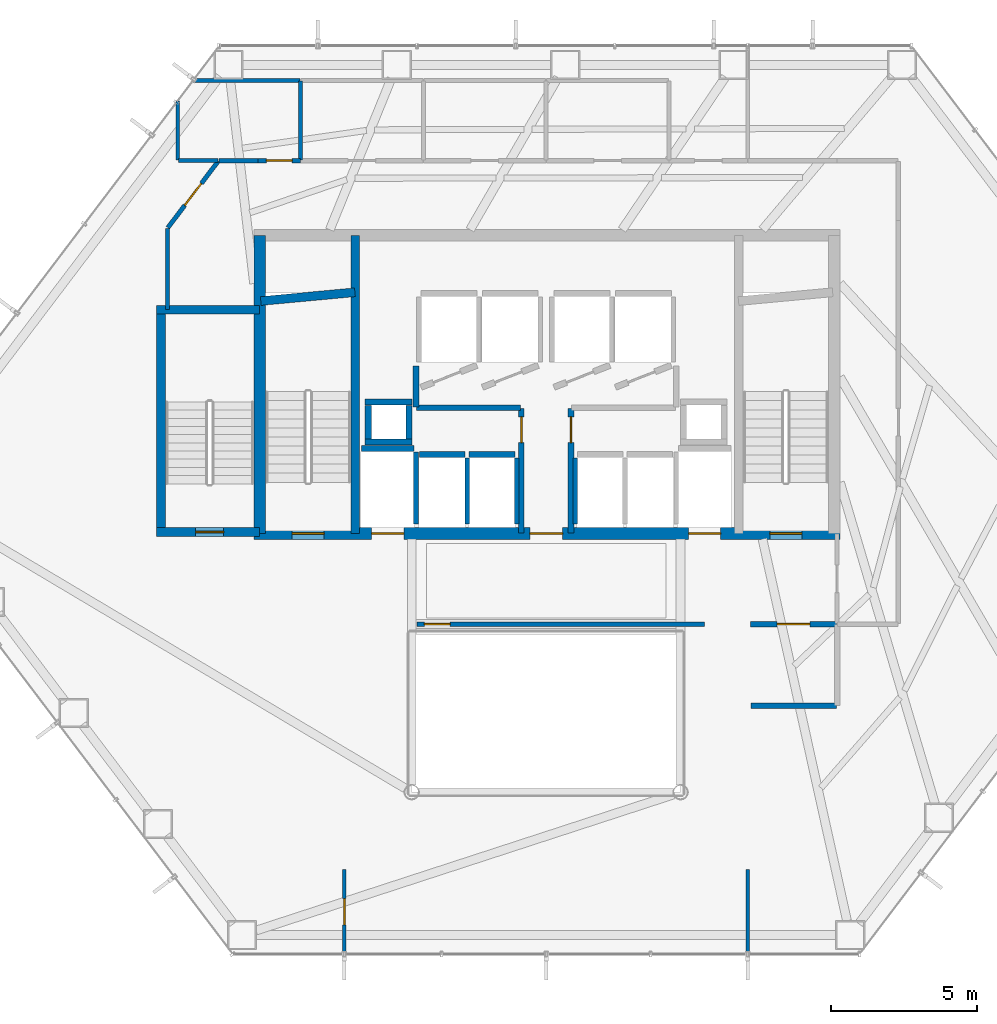
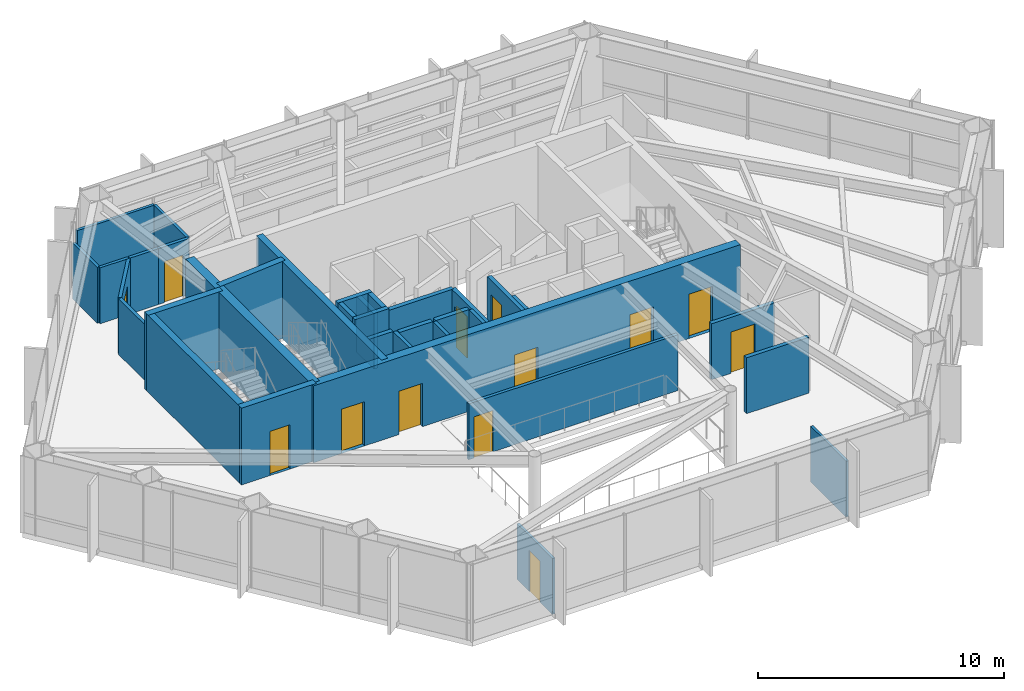
# One storey, part 22 of 25: 35 walls, 13 doors, 13 openings.
"""IFC4 building model written with IfcOpenShell, lengths in metres."""

from ifc_helpers import new_model, si_unit, direction, frame, frame_2d, origin, place, context, subcontext, project, spatial, rectangle, extrude, material, layer, layer_set, type_object, element, fill, save


model = new_model("IFC4")

# Units and contexts
model_context = context("Model", 3, precision=1e-05, world=origin(), true_north=direction((0.0, 1.0)))
body_context = subcontext(model_context, "Body", "Model", "MODEL_VIEW")
ifc_project = project(units=[si_unit("LENGTHUNIT", "METRE"), si_unit("AREAUNIT", "SQUARE_METRE"), si_unit("VOLUMEUNIT", "CUBIC_METRE"), si_unit("PLANEANGLEUNIT", "RADIAN"), si_unit("MASSUNIT", "GRAM", prefix="KILO")], contexts=[model_context])

# Site, building, storey
site_placement = place(None, origin())
site = spatial("IfcSite", under=ifc_project, at=site_placement, CompositionType="ELEMENT")
building_placement = place(site_placement, origin())
building = spatial("IfcBuilding", under=site, at=building_placement, Name="Zarrinselat Tower", CompositionType="ELEMENT")
storey_placement = place(building_placement, frame((0.0, 0.0, 52.02001953125)))
storey = spatial("IfcBuildingStorey", under=building, at=storey_placement, Name="L12", CompositionType="ELEMENT", Elevation=52.02001953125)

# Wall, opening, door
ifc_material_1 = material(Name="Concrete C40/50", Category="concrete")
ifc_layer_1 = layer(ifc_material_1, 0.18994140625)
ifc_layer_set_1 = layer_set([ifc_layer_1], Name="Concrete C40/50")
wall_type_1 = type_object("IfcWallType", Name="WAL-PART-EI120", PredefinedType="PARTITIONING", material=ifc_layer_set_1)
wall_1_placement = place(storey_placement, frame((45.385009765625, 30.14990234375, 0.0), z_axis=(0.0, 0.0, 1.0), x_axis=(1.0, 0.0, 0.0)))
wall_1 = element("IfcWall", 1, at=wall_1_placement, inside=storey, type_object=wall_type_1, Name="L12 Partition Wall 7", PredefinedType="PARTITIONING", context=body_context, shape_type="SweptSolid", body=[
    extrude(rectangle(XDim=2.945068359375, YDim=0.18994140625, at=frame_2d((1.47265625, 0.0))), origin(), (0.0, 0.0, 1.0), 2.777099609375),
])
opening_1_placement = place(wall_1_placement, frame((0.91259765625, 0.0, 0.0)))
opening_1 = element("IfcOpeningElement", 2, at=opening_1_placement, cuts=wall_1, Name="Opening ID-02", PredefinedType="OPENING", context=body_context, shape_type="SweptSolid", body=[
    extrude(rectangle(XDim=1.1201171875, YDim=2.050048828125, at=frame_2d((0.56005859375, 1.02490234375))), frame((0.0, 0.10498046875, 0.0), z_axis=(0.0, -1.0, 0.0), x_axis=(1.0, 0.0, 0.0)), (0.0, 0.0, 1.0), 0.2099609375),
])
ifc_material_2 = material(Name="Steel S355J2", Category="steel")
door_type_1 = type_object("IfcDoorType", Name="DR-INT-FD60-W", OperationType="NOTDEFINED", PredefinedType="DOOR", material=ifc_material_2)
door_1_placement = place(opening_1_placement, origin())
door_1 = element("IfcDoor", 3, at=door_1_placement, inside=storey, type_object=door_type_1, Name="L12 Interior Door P7", OperationType="SINGLE_SWING_LEFT", OverallHeight=2.050048828125, OverallWidth=1.1201171875, PredefinedType="DOOR", context=body_context, shape_type="SweptSolid", body=[
    extrude(rectangle(XDim=1.1201171875, YDim=2.050048828125, at=frame_2d((0.56005859375, 1.02490234375))), frame((0.0, 0.02490234375, 0.0), z_axis=(0.0, -1.0, 0.0), x_axis=(1.0, 0.0, 0.0)), (0.0, 0.0, 1.0), 0.050048828125),
])
fill(opening_1, door_1)

# Wall
wall_2_placement = place(storey_placement, frame((45.39990234375, 27.35009765625, 0.0), z_axis=(0.0, 0.0, 1.0), x_axis=(1.0, 0.0, 0.0)))
element("IfcWall", 4, at=wall_2_placement, inside=storey, type_object=wall_type_1, Name="L12 Partition Wall 10", PredefinedType="PARTITIONING", context=body_context, shape_type="SweptSolid", body=[
    extrude(rectangle(XDim=2.93017578125, YDim=0.18994140625, at=frame_2d((1.465087890625, 0.0))), origin(), (0.0, 0.0, 1.0), 2.777099609375),
])

# Wall, opening, door
ifc_material_3 = material(Name="Fire-Rated Gypsum Board Partition", Category="gypsum")
ifc_layer_2 = layer(ifc_material_3, 0.14990234375)
ifc_layer_set_2 = layer_set([ifc_layer_2], Name="Fire-Rated Gypsum Board Partition")
wall_type_2 = type_object("IfcWallType", Name="WAL-PART-EI60", PredefinedType="PARTITIONING", material=ifc_layer_set_2)
wall_3_placement = place(storey_placement, frame((33.985107421875, 30.14990234375, 0.0), z_axis=(0.0, 0.0, 1.0), x_axis=(1.0, 0.0, 0.0)))
wall_3 = element("IfcWall", 5, at=wall_3_placement, inside=storey, type_object=wall_type_2, Name="L12 Partition Wall 9", PredefinedType="PARTITIONING", context=body_context, shape_type="SweptSolid", body=[
    extrude(rectangle(XDim=9.829833984375, YDim=0.14990234375, at=frame_2d((4.9150390625, 0.0))), origin(), (0.0, 0.0, 1.0), 2.777099609375),
])
opening_2_placement = place(wall_3_placement, frame((0.25, 0.0, 0.0)))
opening_2 = element("IfcOpeningElement", 6, at=opening_2_placement, cuts=wall_3, Name="Opening ID-03", PredefinedType="OPENING", context=body_context, shape_type="SweptSolid", body=[
    extrude(rectangle(XDim=0.8798828125, YDim=2.050048828125, at=frame_2d((0.43994140625, 1.02490234375))), frame((0.0, 0.0849609375, 0.0), z_axis=(0.0, -1.0, 0.0), x_axis=(1.0, 0.0, 0.0)), (0.0, 0.0, 1.0), 0.169921875),
])
ifc_material_4 = material(Name="Steel S355J2", Category="steel")
door_type_2 = type_object("IfcDoorType", Name="DR-INT-FD60-S", OperationType="NOTDEFINED", PredefinedType="DOOR", material=ifc_material_4)
door_2_placement = place(opening_2_placement, origin())
door_2 = element("IfcDoor", 7, at=door_2_placement, inside=storey, type_object=door_type_2, Name="L12 Interior Door P9", OperationType="SINGLE_SWING_LEFT", OverallHeight=2.050048828125, OverallWidth=0.8798828125, PredefinedType="DOOR", context=body_context, shape_type="SweptSolid", body=[
    extrude(rectangle(XDim=0.8798828125, YDim=2.050048828125, at=frame_2d((0.43994140625, 1.02490234375))), frame((0.0, 0.02490234375, 0.0), z_axis=(0.0, -1.0, 0.0), x_axis=(1.0, 0.0, 0.0)), (0.0, 0.0, 1.0), 0.050048828125),
])
fill(opening_2, door_2)

# Wall
wall_4_placement = place(storey_placement, frame((27.216552734375, 46.0, 0.0), z_axis=(0.0, 0.0, 1.0), x_axis=(1.0, 0.0, 0.0)))
element("IfcWall", 8, at=wall_4_placement, inside=storey, type_object=wall_type_2, Name="L12 Partition Wall 12", PredefinedType="PARTITIONING", context=body_context, shape_type="SweptSolid", body=[
    extrude(rectangle(XDim=1.33349609375, YDim=0.14990234375, at=frame_2d((0.666748046875, 0.0))), origin(), (0.0, 0.0, 1.0), 2.777099609375),
])

# Wall, opening, door
wall_5_placement = place(storey_placement, frame((28.550048828125, 46.0, 0.0), z_axis=(0.0, 0.0, 1.0), x_axis=(1.0, 0.0, 0.0)))
wall_5 = element("IfcWall", 9, at=wall_5_placement, inside=storey, type_object=wall_type_2, Name="L12 Partition Wall 13", PredefinedType="PARTITIONING", context=body_context, shape_type="SweptSolid", body=[
    extrude(rectangle(XDim=1.445068359375, YDim=0.14990234375, at=frame_2d((0.72265625, 0.0))), origin(), (0.0, 0.0, 1.0), 2.777099609375),
])
opening_3_placement = place(wall_5_placement, frame((0.282470703125, 0.0, 0.0)))
opening_3 = element("IfcOpeningElement", 10, at=opening_3_placement, cuts=wall_5, Name="Opening ID-03", PredefinedType="OPENING", context=body_context, shape_type="SweptSolid", body=[
    extrude(rectangle(XDim=0.8798828125, YDim=2.050048828125, at=frame_2d((0.43994140625, 1.02490234375))), frame((0.0, 0.0849609375, 0.0), z_axis=(0.0, -1.0, 0.0), x_axis=(1.0, 0.0, 0.0)), (0.0, 0.0, 1.0), 0.169921875),
])
door_3_placement = place(opening_3_placement, origin())
door_3 = element("IfcDoor", 11, at=door_3_placement, inside=storey, type_object=door_type_2, Name="L12 Interior Door P13", OperationType="SINGLE_SWING_RIGHT", OverallHeight=2.050048828125, OverallWidth=0.8798828125, PredefinedType="DOOR", context=body_context, shape_type="SweptSolid", body=[
    extrude(rectangle(XDim=0.8798828125, YDim=2.050048828125, at=frame_2d((0.43994140625, 1.02490234375))), frame((0.0, 0.02490234375, 0.0), z_axis=(0.0, -1.0, 0.0), x_axis=(1.0, 0.0, 0.0)), (0.0, 0.0, 1.0), 0.050048828125),
])
fill(opening_3, door_3)

# Wall
wall_6_placement = place(storey_placement, frame((25.449951171875, 40.9150390625, 0.0), z_axis=(0.0, 0.0, 1.0), x_axis=(0.0, 1.0, 0.0)))
element("IfcWall", 12, at=wall_6_placement, inside=storey, type_object=wall_type_2, Name="L12 Partition Wall 17", PredefinedType="PARTITIONING", context=body_context, shape_type="SweptSolid", body=[
    extrude(rectangle(XDim=2.75927734375, YDim=0.14990234375, at=frame_2d((1.379638671875, 0.0))), origin(), (0.0, 0.0, 1.0), 2.777099609375),
])

# Wall, opening, door
wall_7_placement = place(storey_placement, frame((25.462158203125, 43.710205078125, 0.0), z_axis=(0.0, 0.0, 1.0), x_axis=(0.603800014115, 0.797135837204, 0.0)))
wall_7 = element("IfcWall", 13, at=wall_7_placement, inside=storey, type_object=wall_type_2, Name="L12 Partition Wall 18", PredefinedType="PARTITIONING", context=body_context, shape_type="SweptSolid", body=[
    extrude(rectangle(XDim=2.8525390625, YDim=0.14990234375, at=frame_2d((1.42626953125, 0.0))), origin(), (0.0, 0.0, 1.0), 2.777099609375),
])
opening_4_placement = place(wall_7_placement, frame((0.956298828125, 0.0, 0.0)))
opening_4 = element("IfcOpeningElement", 14, at=opening_4_placement, cuts=wall_7, Name="Opening ID-04", PredefinedType="OPENING", context=body_context, shape_type="SweptSolid", body=[
    extrude(rectangle(XDim=0.93994140625, YDim=2.050048828125, at=frame_2d((0.469970703125, 1.02490234375))), frame((0.0, 0.0849609375, 0.0), z_axis=(0.0, -1.0, 0.0), x_axis=(1.0, 0.0, 0.0)), (0.0, 0.0, 1.0), 0.169921875),
])
ifc_material_5 = material(Name="Fire-Rated Gypsum Board Partition")
door_type_3 = type_object("IfcDoorType", Name="DR-INT-FD30-ENT", OperationType="NOTDEFINED", PredefinedType="DOOR", material=ifc_material_5)
door_4_placement = place(opening_4_placement, origin())
door_4 = element("IfcDoor", 15, at=door_4_placement, inside=storey, type_object=door_type_3, Name="L12 Interior Door P18", OperationType="SINGLE_SWING_RIGHT", OverallHeight=2.050048828125, OverallWidth=0.93994140625, PredefinedType="DOOR", context=body_context, shape_type="SweptSolid", body=[
    extrude(rectangle(XDim=0.93994140625, YDim=2.050048828125, at=frame_2d((0.469970703125, 1.02490234375))), frame((0.0, 0.02490234375, 0.0), z_axis=(0.0, -1.0, 0.0), x_axis=(1.0, 0.0, 0.0)), (0.0, 0.0, 1.0), 0.050048828125),
])
fill(opening_4, door_4)

ifc_material_6 = material(Name="Concrete C40/50", Category="concrete")
ifc_layer_3 = layer(ifc_material_6, 0.199951171875)
ifc_layer_set_3 = layer_set([ifc_layer_3], Name="Concrete C40/50")
wall_type_3 = type_object("IfcWallType", Name="WAL-PART-PLANT", PredefinedType="PARTITIONING", material=ifc_layer_set_3)
wall_8_placement = place(storey_placement, frame((37.550048828125, 33.264892578125, 0.0), z_axis=(0.0, 0.0, 1.0), x_axis=(0.0, 1.0, 0.0)))
wall_8 = element("IfcWall", 16, at=wall_8_placement, inside=storey, type_object=wall_type_3, Name="L12 Partition Wall 1", PredefinedType="PARTITIONING", context=body_context, shape_type="SweptSolid", body=[
    extrude(rectangle(XDim=4.26513671875, YDim=0.199951171875, at=frame_2d((2.132568359375, 0.0))), origin(), (0.0, 0.0, 1.0), 2.777099609375),
])
opening_5_placement = place(wall_8_placement, frame((3.092529296875, 0.0, 0.0)))
opening_5 = element("IfcOpeningElement", 17, at=opening_5_placement, cuts=wall_8, Name="Opening ID-03", PredefinedType="OPENING", context=body_context, shape_type="SweptSolid", body=[
    extrude(rectangle(XDim=0.8798828125, YDim=2.050048828125, at=frame_2d((0.43994140625, 1.02490234375))), frame((0.0, 0.10986328125, 0.0), z_axis=(0.0, -1.0, 0.0), x_axis=(1.0, 0.0, 0.0)), (0.0, 0.0, 1.0), 0.219970703125),
])
door_5_placement = place(opening_5_placement, origin())
door_5 = element("IfcDoor", 18, at=door_5_placement, inside=storey, type_object=door_type_2, Name="L12 Interior Door P1", OperationType="SINGLE_SWING_LEFT", OverallHeight=2.050048828125, OverallWidth=0.8798828125, PredefinedType="DOOR", context=body_context, shape_type="SweptSolid", body=[
    extrude(rectangle(XDim=0.8798828125, YDim=2.050048828125, at=frame_2d((0.43994140625, 1.02490234375))), frame((0.0, 0.02490234375, 0.0), z_axis=(0.0, -1.0, 0.0), x_axis=(1.0, 0.0, 0.0)), (0.0, 0.0, 1.0), 0.050048828125),
])
fill(opening_5, door_5)

# Walls
wall_9_placement = place(storey_placement, frame((33.969970703125, 37.550048828125, 0.0), z_axis=(0.0, 0.0, 1.0), x_axis=(1.0, 0.0, 0.0)))
element("IfcWall", 19, at=wall_9_placement, inside=storey, type_object=wall_type_3, Name="L12 Partition Wall 2", PredefinedType="PARTITIONING", context=body_context, shape_type="SweptSolid", body=[
    extrude(rectangle(XDim=3.56005859375, YDim=0.199951171875, at=frame_2d((1.780029296875, 0.0))), origin(), (0.0, 0.0, 1.0), 2.777099609375),
])
wall_10_placement = place(storey_placement, frame((33.949951171875, 37.570068359375, 0.0), z_axis=(0.0, 0.0, 1.0), x_axis=(0.0, 1.0, 0.0)))
element("IfcWall", 20, at=wall_10_placement, inside=storey, type_object=wall_type_3, Name="L12 Partition Wall 3", PredefinedType="PARTITIONING", context=body_context, shape_type="SweptSolid", body=[
    extrude(rectangle(XDim=1.4150390625, YDim=0.199951171875, at=frame_2d((0.70751953125, 0.0))), origin(), (0.0, 0.0, 1.0), 2.777099609375),
])

# Wall, opening, door
wall_11_placement = place(storey_placement, frame((39.25, 33.264892578125, 0.0), z_axis=(0.0, 0.0, 1.0), x_axis=(0.0, 1.0, 0.0)))
wall_11 = element("IfcWall", 21, at=wall_11_placement, inside=storey, type_object=wall_type_3, Name="L12 Partition Wall 6", PredefinedType="PARTITIONING", context=body_context, shape_type="SweptSolid", body=[
    extrude(rectangle(XDim=4.26513671875, YDim=0.199951171875, at=frame_2d((2.132568359375, 0.0))), origin(), (0.0, 0.0, 1.0), 2.777099609375),
])
opening_6_placement = place(wall_11_placement, frame((3.092529296875, 0.0, 0.0)))
opening_6 = element("IfcOpeningElement", 22, at=opening_6_placement, cuts=wall_11, Name="Opening ID-03", PredefinedType="OPENING", context=body_context, shape_type="SweptSolid", body=[
    extrude(rectangle(XDim=0.8798828125, YDim=2.050048828125, at=frame_2d((0.43994140625, 1.02490234375))), frame((0.0, 0.10986328125, 0.0), z_axis=(0.0, -1.0, 0.0), x_axis=(1.0, 0.0, 0.0)), (0.0, 0.0, 1.0), 0.219970703125),
])
door_6_placement = place(opening_6_placement, origin())
door_6 = element("IfcDoor", 23, at=door_6_placement, inside=storey, type_object=door_type_2, Name="L12 Interior Door P6", OperationType="SINGLE_SWING_RIGHT", OverallHeight=2.050048828125, OverallWidth=0.8798828125, PredefinedType="DOOR", context=body_context, shape_type="SweptSolid", body=[
    extrude(rectangle(XDim=0.8798828125, YDim=2.050048828125, at=frame_2d((0.43994140625, 1.02490234375))), frame((0.0, 0.02490234375, 0.0), z_axis=(0.0, -1.0, 0.0), x_axis=(1.0, 0.0, 0.0)), (0.0, 0.0, 1.0), 0.050048828125),
])
fill(opening_6, door_6)

ifc_material_7 = material(Name="Fire-Rated Gypsum Board Partition", Category="gypsum")
ifc_layer_4 = layer(ifc_material_7, 0.1201171875)
ifc_layer_set_4 = layer_set([ifc_layer_4], Name="Fire-Rated Gypsum Board Partition")
wall_type_4 = type_object("IfcWallType", Name="WAL-PART-STD", PredefinedType="PARTITIONING", material=ifc_layer_set_4)
wall_12_placement = place(storey_placement, frame((31.5, 18.876708984375, 0.0), z_axis=(0.0, 0.0, 1.0), x_axis=(0.0, 1.0, 0.0)))
wall_12 = element("IfcWall", 24, at=wall_12_placement, inside=storey, type_object=wall_type_4, Name="L12 Partition Wall 35", PredefinedType="PARTITIONING", context=body_context, shape_type="SweptSolid", body=[
    extrude(rectangle(XDim=2.873291015625, YDim=0.1201171875, at=frame_2d((1.4365234375, 0.0))), origin(), (0.0, 0.0, 1.0), 2.777099609375),
])
opening_7_placement = place(wall_12_placement, frame((0.98681640625, 0.0, 0.0)))
opening_7 = element("IfcOpeningElement", 25, at=opening_7_placement, cuts=wall_12, Name="Opening ID-05", PredefinedType="OPENING", context=body_context, shape_type="SweptSolid", body=[
    extrude(rectangle(XDim=0.89990234375, YDim=2.050048828125, at=frame_2d((0.449951171875, 1.02490234375))), frame((0.0, 0.070068359375, 0.0), z_axis=(0.0, -1.0, 0.0), x_axis=(1.0, 0.0, 0.0)), (0.0, 0.0, 1.0), 0.14013671875),
])
ifc_material_8 = material(Name="Extruded Aluminium Alloy EN AW-6063 T6", Category="aluminium")
door_type_4 = type_object("IfcDoorType", Name="DR-INT-STD-920", OperationType="NOTDEFINED", PredefinedType="DOOR", material=ifc_material_8)
door_7_placement = place(opening_7_placement, origin())
door_7 = element("IfcDoor", 26, at=door_7_placement, inside=storey, type_object=door_type_4, Name="L12 Interior Door P35", OperationType="SINGLE_SWING_LEFT", OverallHeight=2.050048828125, OverallWidth=0.89990234375, PredefinedType="DOOR", context=body_context, shape_type="SweptSolid", body=[
    extrude(rectangle(XDim=0.89990234375, YDim=2.050048828125, at=frame_2d((0.449951171875, 1.02490234375))), frame((0.0, 0.02490234375, 0.0), z_axis=(0.0, -1.0, 0.0), x_axis=(1.0, 0.0, 0.0)), (0.0, 0.0, 1.0), 0.050048828125),
])
fill(opening_7, door_7)

# Walls
wall_13_placement = place(storey_placement, frame((45.300048828125, 18.876708984375, 0.0), z_axis=(0.0, 0.0, 1.0), x_axis=(0.0, 1.0, 0.0)))
element("IfcWall", 27, at=wall_13_placement, inside=storey, type_object=wall_type_4, Name="L12 Partition Wall 36", PredefinedType="PARTITIONING", context=body_context, shape_type="SweptSolid", body=[
    extrude(rectangle(XDim=2.873291015625, YDim=0.1201171875, at=frame_2d((1.4365234375, 0.0))), origin(), (0.0, 0.0, 1.0), 2.777099609375),
])
ifc_material_9 = material(Name="Fire-Rated Gypsum Board Partition", Category="gypsum")
ifc_layer_5 = layer(ifc_material_9, 0.135009765625)
ifc_layer_set_5 = layer_set([ifc_layer_5], Name="Fire-Rated Gypsum Board Partition")
wall_type_5 = type_object("IfcWallType", Name="WAL-PART-WET", PredefinedType="PARTITIONING", material=ifc_layer_set_5)
wall_14_placement = place(storey_placement, frame((30.0, 46.02001953125, 0.0), z_axis=(0.0, 0.0, 1.0), x_axis=(0.0, 1.0, 0.0)))
element("IfcWall", 28, at=wall_14_placement, inside=storey, type_object=wall_type_5, Name="L12 Partition Wall 25", PredefinedType="PARTITIONING", context=body_context, shape_type="SweptSolid", body=[
    extrude(rectangle(XDim=2.7099609375, YDim=0.135009765625, at=frame_2d((1.35498046875, 0.0))), origin(), (0.0, 0.0, 1.0), 2.777099609375),
])
wall_15_placement = place(storey_placement, frame((25.820068359375, 46.0, 0.0), z_axis=(0.0, 0.0, 1.0), x_axis=(1.0, 0.0, 0.0)))
element("IfcWall", 29, at=wall_15_placement, inside=storey, type_object=wall_type_5, Name="L12 Partition Wall 26", PredefinedType="PARTITIONING", context=body_context, shape_type="SweptSolid", body=[
    extrude(rectangle(XDim=1.3564453125, YDim=0.135009765625, at=frame_2d((0.67822265625, 0.0))), origin(), (0.0, 0.0, 1.0), 2.777099609375),
])
wall_16_placement = place(storey_placement, frame((25.800048828125, 46.02001953125, 0.0), z_axis=(0.0, 0.0, 1.0), x_axis=(0.0, 1.0, 0.0)))
element("IfcWall", 30, at=wall_16_placement, inside=storey, type_object=wall_type_5, Name="L12 Partition Wall 27", PredefinedType="PARTITIONING", context=body_context, shape_type="SweptSolid", body=[
    extrude(rectangle(XDim=2.029541015625, YDim=0.135009765625, at=frame_2d((1.0146484375, 0.0))), origin(), (0.0, 0.0, 1.0), 2.777099609375),
])
wall_17_placement = place(storey_placement, frame((26.334228515625, 48.75, 0.0), z_axis=(0.0, 0.0, 1.0), x_axis=(1.0, 0.0, 0.0)))
element("IfcWall", 31, at=wall_17_placement, inside=storey, type_object=wall_type_5, Name="L12 Partition Wall 28", PredefinedType="PARTITIONING", context=body_context, shape_type="SweptSolid", body=[
    extrude(rectangle(XDim=3.645751953125, YDim=0.135009765625, at=frame_2d((1.82275390625, 0.0))), origin(), (0.0, 0.0, 1.0), 2.777099609375),
])
ifc_material_10 = material(Name="Concrete C40/50", Category="concrete")
ifc_layer_6 = layer(ifc_material_10, 0.2099609375)
ifc_layer_set_6 = layer_set([ifc_layer_6], Name="Concrete C40/50")
wall_type_6 = type_object("IfcWallType", Name="WAL-SHAFT-210", PredefinedType="SOLIDWALL", material=ifc_layer_set_6)
wall_18_placement = place(storey_placement, frame((32.080078125, 36.155029296875, 0.0), z_axis=(0.0, 0.0, 1.0), x_axis=(1.0, 0.0, 0.0)))
element("IfcWall", 32, at=wall_18_placement, inside=storey, type_object=wall_type_6, Name="L12 Lift FFL1 North Shaft Wall", PredefinedType="SOLIDWALL", context=body_context, shape_type="SweptSolid", body=[
    extrude(rectangle(XDim=1.7998046875, YDim=0.2099609375, at=frame_2d((0.89990234375, 0.0))), origin(), (0.0, 0.0, 1.0), 2.7919921875),
])
wall_19_placement = place(storey_placement, frame((33.949951171875, 33.580078125, 0.0), z_axis=(0.0, 0.0, 1.0), x_axis=(0.0, 1.0, 0.0)))
element("IfcWall", 33, at=wall_19_placement, inside=storey, type_object=wall_type_6, Name="L12 Lift FFL1 E Shaft Wall", PredefinedType="SOLIDWALL", context=body_context, shape_type="SweptSolid", body=[
    extrude(rectangle(XDim=2.449951171875, YDim=0.159912109375, at=frame_2d((1.22509765625, 0.0))), origin(), (0.0, 0.0, 1.0), 2.7919921875),
])
wall_20_placement = place(storey_placement, frame((34.070068359375, 35.955078125, 0.0), z_axis=(0.0, 0.0, 1.0), x_axis=(1.0, 0.0, 0.0)))
element("IfcWall", 34, at=wall_20_placement, inside=storey, type_object=wall_type_6, Name="L12 Lift PL5 North Shaft Wall", PredefinedType="SOLIDWALL", context=body_context, shape_type="SweptSolid", body=[
    extrude(rectangle(XDim=1.559814453125, YDim=0.2099609375, at=frame_2d((0.77978515625, 0.0))), origin(), (0.0, 0.0, 1.0), 2.7919921875),
])
wall_21_placement = place(storey_placement, frame((35.699951171875, 33.580078125, 0.0), z_axis=(0.0, 0.0, 1.0), x_axis=(0.0, 1.0, 0.0)))
element("IfcWall", 35, at=wall_21_placement, inside=storey, type_object=wall_type_6, Name="L12 Lift PL5 E Shaft Wall", PredefinedType="SOLIDWALL", context=body_context, shape_type="SweptSolid", body=[
    extrude(rectangle(XDim=2.25, YDim=0.159912109375, at=frame_2d((1.125, 0.0))), origin(), (0.0, 0.0, 1.0), 2.7919921875),
])
wall_22_placement = place(storey_placement, frame((35.77001953125, 35.955078125, 0.0), z_axis=(0.0, 0.0, 1.0), x_axis=(1.0, 0.0, 0.0)))
element("IfcWall", 36, at=wall_22_placement, inside=storey, type_object=wall_type_6, Name="L12 Lift PL6 North Shaft Wall", PredefinedType="SOLIDWALL", context=body_context, shape_type="SweptSolid", body=[
    extrude(rectangle(XDim=1.56005859375, YDim=0.2099609375, at=frame_2d((0.780029296875, 0.0))), origin(), (0.0, 0.0, 1.0), 2.7919921875),
])
for number, where, z_axis, x_axis, name in (
    (37, (37.39990234375, 33.580078125, 0.0), (0.0, 0.0, 1.0), (0.0, 1.0, 0.0), "L12 Lift PL6 E Shaft Wall"),
    (38, (39.39990234375, 33.580078125, 0.0), (0.0, 0.0, 1.0), (0.0, 1.0, 0.0), "L12 Lift PL8 W Shaft Wall"),
):
    element("IfcWall", number, at=place(storey_placement, frame(where, z_axis=z_axis, x_axis=x_axis)), inside=storey, type_object=wall_type_6, Name=name, PredefinedType="SOLIDWALL", context=body_context, shape_type="SweptSolid", body=[
        extrude(rectangle(XDim=2.25, YDim=0.159912109375, at=frame_2d((1.125, 0.0))), origin(), (0.0, 0.0, 1.0), 2.7919921875),
    ])
for number, where, z_axis, x_axis, name in (
    (39, (32.2099609375, 36.375, 0.0), (0.0, 0.0, 1.0), (1.0, 0.0, 0.0), "L12 Core Riser RSR-W S Shaft Wall"),
    (40, (32.2099609375, 37.7451171875, 0.0), (0.0, 0.0, 1.0), (1.0, 0.0, 0.0), "L12 Core Riser RSR-W N Shaft Wall"),
):
    element("IfcWall", number, at=place(storey_placement, frame(where, z_axis=z_axis, x_axis=x_axis)), inside=storey, type_object=wall_type_6, Name=name, PredefinedType="SOLIDWALL", context=body_context, shape_type="SweptSolid", body=[
        extrude(rectangle(XDim=1.60009765625, YDim=0.2099609375, at=frame_2d((0.800048828125, 0.0))), origin(), (0.0, 0.0, 1.0), 3.820068359375),
    ])
for number, where, z_axis, x_axis, name in (
    (41, (32.31494140625, 36.485107421875, 0.0), (0.0, 0.0, 1.0), (0.0, 1.0, 0.0), "L12 Core Riser RSR-W W Shaft Wall"),
    (42, (33.705078125, 36.485107421875, 0.0), (0.0, 0.0, 1.0), (0.0, 1.0, 0.0), "L12 Core Riser RSR-W E Shaft Wall"),
):
    element("IfcWall", number, at=place(storey_placement, frame(where, z_axis=z_axis, x_axis=x_axis)), inside=storey, type_object=wall_type_6, Name=name, PredefinedType="SOLIDWALL", context=body_context, shape_type="SweptSolid", body=[
        extrude(rectangle(XDim=1.14990234375, YDim=0.2099609375, at=frame_2d((0.574951171875, 0.0))), origin(), (0.0, 0.0, 1.0), 3.820068359375),
    ])
ifc_material_11 = material(Name="Concrete C40/50", Category="concrete")
ifc_layer_7 = layer(ifc_material_11, 0.300048828125)
ifc_layer_set_7 = layer_set([ifc_layer_7], Name="Concrete C40/50")
wall_type_7 = type_object("IfcWallType", Name="WAL-SHEAR-300", PredefinedType="SHEAR", material=ifc_layer_set_7)
wall_23_placement = place(storey_placement, frame((31.8701171875, 33.25, 0.0), z_axis=(0.0, 0.0, 1.0), x_axis=(0.0, 1.0, 0.0)))
element("IfcWall", 43, at=wall_23_placement, inside=storey, type_object=wall_type_7, Name="L12 Core Shear Wall ST1E", PredefinedType="SHEAR", context=body_context, shape_type="SweptSolid", body=[
    extrude(rectangle(XDim=10.199951171875, YDim=0.300048828125, at=frame_2d((5.10009765625, 0.0))), origin(), (0.0, 0.0, 1.0), 3.820068359375),
])
wall_24_placement = place(storey_placement, frame((28.639892578125, 41.199951171875, 0.0), z_axis=(0.0, 0.0, 1.0), x_axis=(0.995687118776, 0.092774789157, 0.0)))
element("IfcWall", 44, at=wall_24_placement, inside=storey, type_object=wall_type_7, Name="L12 Stair 1 North Shaft Wall", PredefinedType="SHEAR", context=body_context, shape_type="SweptSolid", body=[
    extrude(rectangle(XDim=3.234130859375, YDim=0.300048828125, at=frame_2d((1.6171875, 0.0))), origin(), (0.0, 0.0, 1.0), 3.820068359375),
])
wall_25_placement = place(storey_placement, frame((25.080078125, 40.89990234375, 0.0), z_axis=(0.0, 0.0, 1.0), x_axis=(1.0, 0.0, 0.0)))
element("IfcWall", 45, at=wall_25_placement, inside=storey, type_object=wall_type_7, Name="L12 Stair 3 North Shear Wall", PredefinedType="SHEAR", context=body_context, shape_type="SweptSolid", body=[
    extrude(rectangle(XDim=3.52001953125, YDim=0.300048828125, at=frame_2d((1.760009765625, 0.0))), origin(), (0.0, 0.0, 1.0), 3.820068359375),
])

# Wall, opening, door
wall_26_placement = place(storey_placement, frame((25.080078125, 33.300048828125, 0.0), z_axis=(0.0, 0.0, 1.0), x_axis=(1.0, 0.0, 0.0)))
wall_26 = element("IfcWall", 46, at=wall_26_placement, inside=storey, type_object=wall_type_7, Name="L12 Stair 3 South Shear Wall", PredefinedType="SHEAR", context=body_context, shape_type="SweptSolid", body=[
    extrude(rectangle(XDim=3.52001953125, YDim=0.300048828125, at=frame_2d((1.760009765625, 0.0))), origin(), (0.0, 0.0, 1.0), 3.820068359375),
])
opening_8_placement = place(wall_26_placement, frame((1.3349609375, 0.0, 0.0)))
opening_8 = element("IfcOpeningElement", 47, at=opening_8_placement, cuts=wall_26, Name="Opening SD-02", PredefinedType="OPENING", context=body_context, shape_type="SweptSolid", body=[
    extrude(rectangle(XDim=0.949951171875, YDim=2.199951171875, at=frame_2d((0.47509765625, 1.10009765625))), frame((0.0, 0.159912109375, 0.0), z_axis=(0.0, -1.0, 0.0), x_axis=(1.0, 0.0, 0.0)), (0.0, 0.0, 1.0), 0.320068359375),
])
ifc_material_12 = material(Name="Steel S355J2", Category="steel")
door_type_5 = type_object("IfcDoorType", Name="DR-STAIR-1050", OperationType="NOTDEFINED", PredefinedType="DOOR", material=ifc_material_12)
door_8_placement = place(opening_8_placement, origin())
door_8 = element("IfcDoor", 48, at=door_8_placement, inside=storey, type_object=door_type_5, Name="L12 Exit Stair 3 Fire Door", OperationType="SINGLE_SWING_LEFT", OverallHeight=2.199951171875, OverallWidth=0.949951171875, PredefinedType="DOOR", context=body_context, shape_type="SweptSolid", body=[
    extrude(rectangle(XDim=0.949951171875, YDim=2.199951171875, at=frame_2d((0.47509765625, 1.10009765625))), frame((0.0, 0.02490234375, 0.0), z_axis=(0.0, -1.0, 0.0), x_axis=(1.0, 0.0, 0.0)), (0.0, 0.0, 1.0), 0.050048828125),
])
fill(opening_8, door_8)

# Wall
wall_27_placement = place(storey_placement, frame((25.22998046875, 33.300048828125, 0.0), z_axis=(0.0, 0.0, 1.0), x_axis=(0.0, 1.0, 0.0)))
element("IfcWall", 49, at=wall_27_placement, inside=storey, type_object=wall_type_7, Name="L12 Stair 3 West Shear Wall", PredefinedType="SHEAR", context=body_context, shape_type="SweptSolid", body=[
    extrude(rectangle(XDim=7.599853515625, YDim=0.300048828125, at=frame_2d((3.7998046875, 0.0))), origin(), (0.0, 0.0, 1.0), 3.820068359375),
])

# Wall, openings, doors
ifc_material_13 = material(Name="Concrete C60/75", Category="concrete")
ifc_layer_8 = layer(ifc_material_13, 0.39990234375)
ifc_layer_set_8 = layer_set([ifc_layer_8], Name="Concrete C60/75")
wall_type_8 = type_object("IfcWallType", Name="WAL-SHEAR-400", PredefinedType="SHEAR", material=ifc_layer_set_8)
wall_28_placement = place(storey_placement, frame((28.39990234375, 33.25, 0.0), z_axis=(0.0, 0.0, 1.0), x_axis=(1.0, 0.0, 0.0)))
wall_28 = element("IfcWall", 50, at=wall_28_placement, inside=storey, type_object=wall_type_8, Name="L12 South Core Shear Wall", PredefinedType="SHEAR", context=body_context, shape_type="SweptSolid", body=[
    extrude(rectangle(XDim=20.06005859375, YDim=0.39990234375, at=frame_2d((10.030029296875, 0.0))), origin(), (0.0, 0.0, 1.0), 3.820068359375),
])
opening_9_placement = place(wall_28_placement, frame((4.030029296875, 0.0, 0.0)))
opening_9 = element("IfcOpeningElement", 51, at=opening_9_placement, cuts=wall_28, Name="Opening LD-FFL1", PredefinedType="OPENING", context=body_context, shape_type="SweptSolid", body=[
    extrude(rectangle(XDim=1.10009765625, YDim=2.14990234375, at=frame_2d((0.550048828125, 1.074951171875))), frame((0.0, 0.2099609375, 0.0), z_axis=(0.0, -1.0, 0.0), x_axis=(1.0, 0.0, 0.0)), (0.0, 0.0, 1.0), 0.419921875),
])
opening_10_placement = place(wall_28_placement, frame((14.8701171875, 0.0, 0.0)))
opening_10 = element("IfcOpeningElement", 52, at=opening_10_placement, cuts=wall_28, Name="Opening LD-FFL2", PredefinedType="OPENING", context=body_context, shape_type="SweptSolid", body=[
    extrude(rectangle(XDim=1.10009765625, YDim=2.14990234375, at=frame_2d((0.550048828125, 1.074951171875))), frame((0.0, 0.2099609375, 0.0), z_axis=(0.0, -1.0, 0.0), x_axis=(1.0, 0.0, 0.0)), (0.0, 0.0, 1.0), 0.419921875),
])
opening_11_placement = place(wall_28_placement, frame((1.31005859375, 0.0, 0.0)))
opening_11 = element("IfcOpeningElement", 53, at=opening_11_placement, cuts=wall_28, Name="Opening SD-01", PredefinedType="OPENING", context=body_context, shape_type="SweptSolid", body=[
    extrude(rectangle(XDim=1.10009765625, YDim=2.199951171875, at=frame_2d((0.550048828125, 1.10009765625))), frame((0.0, 0.2099609375, 0.0), z_axis=(0.0, -1.0, 0.0), x_axis=(1.0, 0.0, 0.0)), (0.0, 0.0, 1.0), 0.419921875),
])
opening_12_placement = place(wall_28_placement, frame((9.43994140625, 0.0, 0.0)))
opening_12 = element("IfcOpeningElement", 54, at=opening_12_placement, cuts=wall_28, Name="Opening ID-02", PredefinedType="OPENING", context=body_context, shape_type="SweptSolid", body=[
    extrude(rectangle(XDim=1.1201171875, YDim=2.050048828125, at=frame_2d((0.56005859375, 1.02490234375))), frame((0.0, 0.2099609375, 0.0), z_axis=(0.0, -1.0, 0.0), x_axis=(1.0, 0.0, 0.0)), (0.0, 0.0, 1.0), 0.419921875),
])
opening_13_placement = place(wall_28_placement, frame((17.64990234375, 0.0, 0.0)))
opening_13 = element("IfcOpeningElement", 55, at=opening_13_placement, cuts=wall_28, Name="Opening SD-01", PredefinedType="OPENING", context=body_context, shape_type="SweptSolid", body=[
    extrude(rectangle(XDim=1.10009765625, YDim=2.199951171875, at=frame_2d((0.550048828125, 1.10009765625))), frame((0.0, 0.2099609375, 0.0), z_axis=(0.0, -1.0, 0.0), x_axis=(1.0, 0.0, 0.0)), (0.0, 0.0, 1.0), 0.419921875),
])
door_9_placement = place(opening_12_placement, origin())
door_9 = element("IfcDoor", 56, at=door_9_placement, inside=storey, type_object=door_type_1, Name="L12 Core Service Vestibule Fire Door", OperationType="SINGLE_SWING_RIGHT", OverallHeight=2.050048828125, OverallWidth=1.1201171875, PredefinedType="DOOR", context=body_context, shape_type="SweptSolid", body=[
    extrude(rectangle(XDim=1.1201171875, YDim=2.050048828125, at=frame_2d((0.56005859375, 1.02490234375))), frame((0.0, 0.02490234375, 0.0), z_axis=(0.0, -1.0, 0.0), x_axis=(1.0, 0.0, 0.0)), (0.0, 0.0, 1.0), 0.050048828125),
])
fill(opening_12, door_9)
ifc_material_14 = material(Name="Steel S355J2", Category="steel")
door_type_6 = type_object("IfcDoorType", Name="DR-LIFT-FF-1100", OperationType="NOTDEFINED", PredefinedType="DOOR", material=ifc_material_14)
door_10_placement = place(opening_9_placement, origin())
door_10 = element("IfcDoor", 57, at=door_10_placement, inside=storey, type_object=door_type_6, Name="L12 Lift FFL1 Sliding Landing Door", OperationType="SLIDING_TO_LEFT", OverallHeight=2.14990234375, OverallWidth=1.10009765625, PredefinedType="DOOR", context=body_context, shape_type="SweptSolid", body=[
    extrude(rectangle(XDim=1.10009765625, YDim=2.14990234375, at=frame_2d((0.550048828125, 1.074951171875))), frame((0.0, 0.02490234375, 0.0), z_axis=(0.0, -1.0, 0.0), x_axis=(1.0, 0.0, 0.0)), (0.0, 0.0, 1.0), 0.050048828125),
])
fill(opening_9, door_10)
door_11_placement = place(opening_10_placement, origin())
door_11 = element("IfcDoor", 58, at=door_11_placement, inside=storey, type_object=door_type_6, Name="L12 Lift FFL2 Sliding Landing Door", OperationType="SLIDING_TO_RIGHT", OverallHeight=2.14990234375, OverallWidth=1.10009765625, PredefinedType="DOOR", context=body_context, shape_type="SweptSolid", body=[
    extrude(rectangle(XDim=1.10009765625, YDim=2.14990234375, at=frame_2d((0.550048828125, 1.074951171875))), frame((0.0, 0.02490234375, 0.0), z_axis=(0.0, -1.0, 0.0), x_axis=(1.0, 0.0, 0.0)), (0.0, 0.0, 1.0), 0.050048828125),
])
fill(opening_10, door_11)
ifc_material_15 = material(Name="Steel S355J2", Category="steel")
door_type_7 = type_object("IfcDoorType", Name="DR-STAIR-1100", OperationType="NOTDEFINED", PredefinedType="DOOR", material=ifc_material_15)
door_12_placement = place(opening_11_placement, origin())
door_12 = element("IfcDoor", 59, at=door_12_placement, inside=storey, type_object=door_type_7, Name="L12 Exit Stair 1 Fire Door", OperationType="SINGLE_SWING_LEFT", OverallHeight=2.199951171875, OverallWidth=1.10009765625, PredefinedType="DOOR", context=body_context, shape_type="SweptSolid", body=[
    extrude(rectangle(XDim=1.10009765625, YDim=2.199951171875, at=frame_2d((0.550048828125, 1.10009765625))), frame((0.0, 0.02490234375, 0.0), z_axis=(0.0, -1.0, 0.0), x_axis=(1.0, 0.0, 0.0)), (0.0, 0.0, 1.0), 0.050048828125),
])
fill(opening_11, door_12)
door_13_placement = place(opening_13_placement, origin())
door_13 = element("IfcDoor", 60, at=door_13_placement, inside=storey, type_object=door_type_7, Name="L12 Exit Stair 2 Fire Door", OperationType="SINGLE_SWING_RIGHT", OverallHeight=2.199951171875, OverallWidth=1.10009765625, PredefinedType="DOOR", context=body_context, shape_type="SweptSolid", body=[
    extrude(rectangle(XDim=1.10009765625, YDim=2.199951171875, at=frame_2d((0.550048828125, 1.10009765625))), frame((0.0, 0.02490234375, 0.0), z_axis=(0.0, -1.0, 0.0), x_axis=(1.0, 0.0, 0.0)), (0.0, 0.0, 1.0), 0.050048828125),
])
fill(opening_13, door_13)

# Wall
wall_29_placement = place(storey_placement, frame((28.60009765625, 33.25, 0.0), z_axis=(0.0, 0.0, 1.0), x_axis=(0.0, 1.0, 0.0)))
element("IfcWall", 61, at=wall_29_placement, inside=storey, type_object=wall_type_8, Name="L12 Core Shear Wall W", PredefinedType="SHEAR", context=body_context, shape_type="SweptSolid", body=[
    extrude(rectangle(XDim=10.199951171875, YDim=0.39990234375, at=frame_2d((5.10009765625, 0.0))), origin(), (0.0, 0.0, 1.0), 3.820068359375),
])

save(model, "model.ifc")
